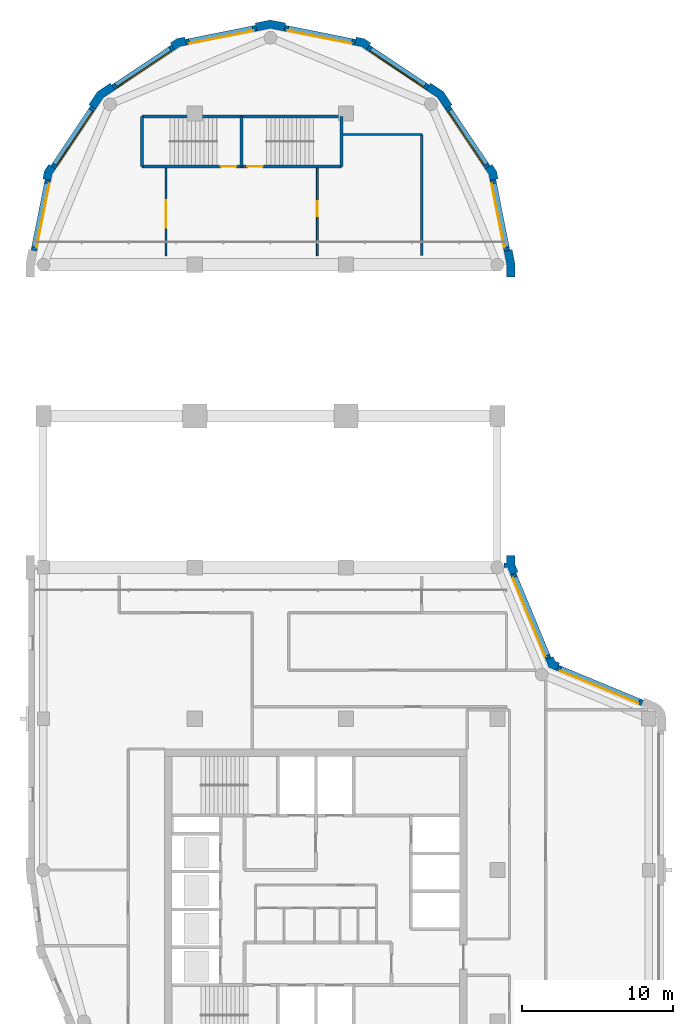
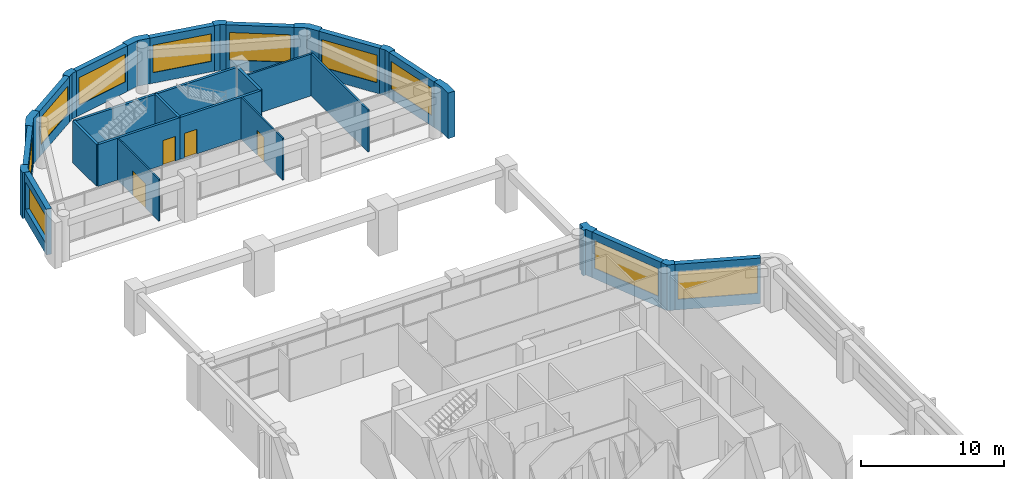
# One storey, part 8 of 11: 31 walls, 10 windows, 4 doors, 14 openings.
"""IFC4 building model written with IfcOpenShell, lengths in metres."""

from ifc_helpers import new_model, si_unit, direction, frame, frame_2d, origin, place, context, subcontext, project, spatial, polyline, rectangle, outline, extrude, material, layer, layer_set, type_object, element, fill, save


model = new_model("IFC4")

# Units and contexts
model_context = context("Model", 3, precision=1e-05, world=origin(), true_north=direction((0.0, 1.0)))
body_context = subcontext(model_context, "Body", "Model", "MODEL_VIEW")
ifc_project = project(units=[si_unit("LENGTHUNIT", "METRE"), si_unit("AREAUNIT", "SQUARE_METRE"), si_unit("VOLUMEUNIT", "CUBIC_METRE"), si_unit("PLANEANGLEUNIT", "RADIAN"), si_unit("MASSUNIT", "GRAM", prefix="KILO")], contexts=[model_context])

# Site, building, storey
site_placement = place(None, origin())
site = spatial("IfcSite", under=ifc_project, at=site_placement, CompositionType="ELEMENT")
building_placement = place(site_placement, origin())
building = spatial("IfcBuilding", under=site, at=building_placement, Name="Qaws Garden Tower", CompositionType="ELEMENT")
storey_placement = place(building_placement, frame((0.0, 0.0, 317.699951171875)))
storey = spatial("IfcBuildingStorey", under=building, at=storey_placement, Name="L77", CompositionType="ELEMENT", Elevation=317.699951171875)

# Wall, opening, window
ifc_material_1 = material(Name="Clay facing brick masonry", Category="masonry")
ifc_layer_1 = layer(ifc_material_1, 0.39990234375)
ifc_layer_set_1 = layer_set([ifc_layer_1], Name="Clay facing brick masonry")
wall_type_1 = type_object("IfcWallType", Name="Brick infill wall 400", PredefinedType="SOLIDWALL", material=ifc_layer_set_1)
wall_1_placement = place(storey_placement, frame((39.56689453125, 31.04541015625, 0.0), z_axis=(0.0, 0.0, 1.0), x_axis=(-0.923891000409, 0.382655745237, 0.0)))
wall_1 = element("IfcWall", 1, at=wall_1_placement, inside=storey, type_object=wall_type_1, Name="E-L77-infill-05", PredefinedType="SOLIDWALL", context=body_context, shape_type="SweptSolid", body=[
    extrude(rectangle(XDim=6.053466796875, YDim=0.39990234375, at=frame_2d((3.02685546875, 0.0))), origin(), (0.0, 0.0, 1.0), 3.900146484375),
])
opening_1_placement = place(wall_1_placement, frame((0.226806640625, 0.0, 0.89990234375)))
opening_1 = element("IfcOpeningElement", 2, at=opening_1_placement, cuts=wall_1, Name="Opening W04", PredefinedType="OPENING", context=body_context, shape_type="SweptSolid", body=[
    extrude(rectangle(XDim=5.60009765625, YDim=2.35009765625, at=frame_2d((2.800048828125, 1.175048828125))), frame((0.0, 0.2099609375, 0.0), z_axis=(0.0, -1.0, 0.0), x_axis=(1.0, 0.0, 0.0)), (0.0, 0.0, 1.0), 0.419921875),
])
ifc_material_2 = material(Name="Aluminium framed window, clear glazing", Category="aluminium")
window_type_1 = type_object("IfcWindowType", Name="Ribbon window 5600 x 2350", PartitioningType="DOUBLE_PANEL_VERTICAL", PredefinedType="WINDOW", material=ifc_material_2)
window_1_placement = place(opening_1_placement, origin())
window_1 = element("IfcWindow", 3, at=window_1_placement, inside=storey, type_object=window_type_1, Name="E-L77-window-05-0", OverallHeight=2.35009765625, OverallWidth=5.60009765625, PartitioningType="SINGLE_PANEL", PredefinedType="WINDOW", context=body_context, shape_type="SweptSolid", body=[
    extrude(rectangle(XDim=5.60009765625, YDim=2.35009765625, at=frame_2d((2.800048828125, 1.175048828125))), frame((0.0, 0.159912109375, 0.0), z_axis=(0.0, -1.0, 0.0), x_axis=(1.0, 0.0, 0.0)), (0.0, 0.0, 1.0), 0.06005859375),
])
fill(opening_1, window_1)

wall_2_placement = place(storey_placement, frame((33.36181640625, 33.97412109375, 0.0), z_axis=(0.0, 0.0, 1.0), x_axis=(-0.382655745237, 0.923891000409, 0.0)))
wall_2 = element("IfcWall", 4, at=wall_2_placement, inside=storey, type_object=wall_type_1, Name="E-L77-infill-06", PredefinedType="SOLIDWALL", context=body_context, shape_type="SweptSolid", body=[
    extrude(rectangle(XDim=6.053466796875, YDim=0.39990234375, at=frame_2d((3.02685546875, 0.0))), origin(), (0.0, 0.0, 1.0), 3.900146484375),
])
opening_2_placement = place(wall_2_placement, frame((0.226806640625, 0.0, 0.89990234375)))
opening_2 = element("IfcOpeningElement", 5, at=opening_2_placement, cuts=wall_2, Name="Opening W04", PredefinedType="OPENING", context=body_context, shape_type="SweptSolid", body=[
    extrude(rectangle(XDim=5.60009765625, YDim=2.35009765625, at=frame_2d((2.800048828125, 1.175048828125))), frame((0.0, 0.2099609375, 0.0), z_axis=(0.0, -1.0, 0.0), x_axis=(1.0, 0.0, 0.0)), (0.0, 0.0, 1.0), 0.419921875),
])
window_2_placement = place(opening_2_placement, origin())
window_2 = element("IfcWindow", 6, at=window_2_placement, inside=storey, type_object=window_type_1, Name="E-L77-window-06-0", OverallHeight=2.35009765625, OverallWidth=5.60009765625, PartitioningType="SINGLE_PANEL", PredefinedType="WINDOW", context=body_context, shape_type="SweptSolid", body=[
    extrude(rectangle(XDim=5.60009765625, YDim=2.35009765625, at=frame_2d((2.800048828125, 1.175048828125))), frame((0.0, 0.159912109375, 0.0), z_axis=(0.0, -1.0, 0.0), x_axis=(1.0, 0.0, 0.0)), (0.0, 0.0, 1.0), 0.06005859375),
])
fill(opening_2, window_2)

wall_3_placement = place(storey_placement, frame((30.628662109375, 60.940673828125, 0.0), z_axis=(0.0, 0.0, 1.0), x_axis=(-0.195098533057, 0.98078364709, 0.0)))
wall_3 = element("IfcWall", 7, at=wall_3_placement, inside=storey, type_object=wall_type_1, Name="E-L77-infill-09", PredefinedType="SOLIDWALL", context=body_context, shape_type="SweptSolid", body=[
    extrude(rectangle(XDim=4.752685546875, YDim=0.39990234375, at=frame_2d((2.37646484375, 0.0))), origin(), (0.0, 0.0, 1.0), 3.900146484375),
])
opening_3_placement = place(wall_3_placement, frame((0.226318359375, 0.0, 0.89990234375)))
opening_3 = element("IfcOpeningElement", 8, at=opening_3_placement, cuts=wall_3, Name="Opening W06", PredefinedType="OPENING", context=body_context, shape_type="SweptSolid", body=[
    extrude(rectangle(XDim=4.300048828125, YDim=2.35009765625, at=frame_2d((2.14990234375, 1.175048828125))), frame((0.0, 0.2099609375, 0.0), z_axis=(0.0, -1.0, 0.0), x_axis=(1.0, 0.0, 0.0)), (0.0, 0.0, 1.0), 0.419921875),
])
ifc_material_3 = material(Name="Aluminium framed window, clear glazing", Category="aluminium")
window_type_2 = type_object("IfcWindowType", Name="Ribbon window 4300 x 2350", PartitioningType="DOUBLE_PANEL_VERTICAL", PredefinedType="WINDOW", material=ifc_material_3)
window_3_placement = place(opening_3_placement, origin())
window_3 = element("IfcWindow", 9, at=window_3_placement, inside=storey, type_object=window_type_2, Name="E-L77-window-09-0", OverallHeight=2.35009765625, OverallWidth=4.300048828125, PartitioningType="SINGLE_PANEL", PredefinedType="WINDOW", context=body_context, shape_type="SweptSolid", body=[
    extrude(rectangle(XDim=4.300048828125, YDim=2.35009765625, at=frame_2d((2.14990234375, 1.175048828125))), frame((0.0, 0.159912109375, 0.0), z_axis=(0.0, -1.0, 0.0), x_axis=(1.0, 0.0, 0.0)), (0.0, 0.0, 1.0), 0.06005859375),
])
fill(opening_3, window_3)

wall_4_placement = place(storey_placement, frame((29.356689453125, 66.43408203125, 0.0), z_axis=(0.0, 0.0, 1.0), x_axis=(-0.555541552266, 0.831488775454, 0.0)))
wall_4 = element("IfcWall", 10, at=wall_4_placement, inside=storey, type_object=wall_type_1, Name="E-L77-infill-10", PredefinedType="SOLIDWALL", context=body_context, shape_type="SweptSolid", body=[
    extrude(rectangle(XDim=4.752685546875, YDim=0.39990234375, at=frame_2d((2.37646484375, 0.0))), origin(), (0.0, 0.0, 1.0), 3.900146484375),
])
opening_4_placement = place(wall_4_placement, frame((0.226318359375, 0.0, 0.89990234375)))
opening_4 = element("IfcOpeningElement", 11, at=opening_4_placement, cuts=wall_4, Name="Opening W06", PredefinedType="OPENING", context=body_context, shape_type="SweptSolid", body=[
    extrude(rectangle(XDim=4.300048828125, YDim=2.35009765625, at=frame_2d((2.14990234375, 1.175048828125))), frame((0.0, 0.2099609375, 0.0), z_axis=(0.0, -1.0, 0.0), x_axis=(1.0, 0.0, 0.0)), (0.0, 0.0, 1.0), 0.419921875),
])
window_4_placement = place(opening_4_placement, origin())
window_4 = element("IfcWindow", 12, at=window_4_placement, inside=storey, type_object=window_type_2, Name="E-L77-window-10-0", OverallHeight=2.35009765625, OverallWidth=4.300048828125, PartitioningType="SINGLE_PANEL", PredefinedType="WINDOW", context=body_context, shape_type="SweptSolid", body=[
    extrude(rectangle(XDim=4.300048828125, YDim=2.35009765625, at=frame_2d((2.14990234375, 1.175048828125))), frame((0.0, 0.159912109375, 0.0), z_axis=(0.0, -1.0, 0.0), x_axis=(1.0, 0.0, 0.0)), (0.0, 0.0, 1.0), 0.06005859375),
])
fill(opening_4, window_4)

wall_5_placement = place(storey_placement, frame((25.385986328125, 71.71630859375, 0.0), z_axis=(0.0, 0.0, 1.0), x_axis=(-0.831488775454, 0.555541552266, 0.0)))
wall_5 = element("IfcWall", 13, at=wall_5_placement, inside=storey, type_object=wall_type_1, Name="E-L77-infill-11", PredefinedType="SOLIDWALL", context=body_context, shape_type="SweptSolid", body=[
    extrude(rectangle(XDim=4.752685546875, YDim=0.39990234375, at=frame_2d((2.37646484375, 0.0))), origin(), (0.0, 0.0, 1.0), 3.900146484375),
])
opening_5_placement = place(wall_5_placement, frame((0.226318359375, 0.0, 0.89990234375)))
opening_5 = element("IfcOpeningElement", 14, at=opening_5_placement, cuts=wall_5, Name="Opening W06", PredefinedType="OPENING", context=body_context, shape_type="SweptSolid", body=[
    extrude(rectangle(XDim=4.300048828125, YDim=2.35009765625, at=frame_2d((2.14990234375, 1.175048828125))), frame((0.0, 0.2099609375, 0.0), z_axis=(0.0, -1.0, 0.0), x_axis=(1.0, 0.0, 0.0)), (0.0, 0.0, 1.0), 0.419921875),
])
window_5_placement = place(opening_5_placement, origin())
window_5 = element("IfcWindow", 15, at=window_5_placement, inside=storey, type_object=window_type_2, Name="E-L77-window-11-0", OverallHeight=2.35009765625, OverallWidth=4.300048828125, PartitioningType="SINGLE_PANEL", PredefinedType="WINDOW", context=body_context, shape_type="SweptSolid", body=[
    extrude(rectangle(XDim=4.300048828125, YDim=2.35009765625, at=frame_2d((2.14990234375, 1.175048828125))), frame((0.0, 0.159912109375, 0.0), z_axis=(0.0, -1.0, 0.0), x_axis=(1.0, 0.0, 0.0)), (0.0, 0.0, 1.0), 0.06005859375),
])
fill(opening_5, window_5)

wall_6_placement = place(storey_placement, frame((20.60205078125, 74.701416015625, 0.0), z_axis=(0.0, 0.0, 1.0), x_axis=(-0.98078364709, 0.195098533057, 0.0)))
wall_6 = element("IfcWall", 16, at=wall_6_placement, inside=storey, type_object=wall_type_1, Name="E-L77-infill-12", PredefinedType="SOLIDWALL", context=body_context, shape_type="SweptSolid", body=[
    extrude(rectangle(XDim=4.752685546875, YDim=0.39990234375, at=frame_2d((2.37646484375, 0.0))), origin(), (0.0, 0.0, 1.0), 3.900146484375),
])
opening_6_placement = place(wall_6_placement, frame((0.226318359375, 0.0, 0.89990234375)))
opening_6 = element("IfcOpeningElement", 17, at=opening_6_placement, cuts=wall_6, Name="Opening W06", PredefinedType="OPENING", context=body_context, shape_type="SweptSolid", body=[
    extrude(rectangle(XDim=4.300048828125, YDim=2.35009765625, at=frame_2d((2.14990234375, 1.175048828125))), frame((0.0, 0.2099609375, 0.0), z_axis=(0.0, -1.0, 0.0), x_axis=(1.0, 0.0, 0.0)), (0.0, 0.0, 1.0), 0.419921875),
])
window_6_placement = place(opening_6_placement, origin())
window_6 = element("IfcWindow", 18, at=window_6_placement, inside=storey, type_object=window_type_2, Name="E-L77-window-12-0", OverallHeight=2.35009765625, OverallWidth=4.300048828125, PartitioningType="SINGLE_PANEL", PredefinedType="WINDOW", context=body_context, shape_type="SweptSolid", body=[
    extrude(rectangle(XDim=4.300048828125, YDim=2.35009765625, at=frame_2d((2.14990234375, 1.175048828125))), frame((0.0, 0.159912109375, 0.0), z_axis=(0.0, -1.0, 0.0), x_axis=(1.0, 0.0, 0.0)), (0.0, 0.0, 1.0), 0.06005859375),
])
fill(opening_6, window_6)

wall_7_placement = place(storey_placement, frame((14.059326171875, 75.628662109375, 0.0), z_axis=(0.0, 0.0, 1.0), x_axis=(-0.98078364709, -0.195098533057, 0.0)))
wall_7 = element("IfcWall", 19, at=wall_7_placement, inside=storey, type_object=wall_type_1, Name="E-L77-infill-13", PredefinedType="SOLIDWALL", context=body_context, shape_type="SweptSolid", body=[
    extrude(rectangle(XDim=4.752685546875, YDim=0.39990234375, at=frame_2d((2.37646484375, 0.0))), origin(), (0.0, 0.0, 1.0), 3.900146484375),
])
opening_7_placement = place(wall_7_placement, frame((0.226318359375, 0.0, 0.89990234375)))
opening_7 = element("IfcOpeningElement", 20, at=opening_7_placement, cuts=wall_7, Name="Opening W06", PredefinedType="OPENING", context=body_context, shape_type="SweptSolid", body=[
    extrude(rectangle(XDim=4.300048828125, YDim=2.35009765625, at=frame_2d((2.14990234375, 1.175048828125))), frame((0.0, 0.2099609375, 0.0), z_axis=(0.0, -1.0, 0.0), x_axis=(1.0, 0.0, 0.0)), (0.0, 0.0, 1.0), 0.419921875),
])
window_7_placement = place(opening_7_placement, origin())
window_7 = element("IfcWindow", 21, at=window_7_placement, inside=storey, type_object=window_type_2, Name="E-L77-window-13-0", OverallHeight=2.35009765625, OverallWidth=4.300048828125, PartitioningType="SINGLE_PANEL", PredefinedType="WINDOW", context=body_context, shape_type="SweptSolid", body=[
    extrude(rectangle(XDim=4.300048828125, YDim=2.35009765625, at=frame_2d((2.14990234375, 1.175048828125))), frame((0.0, 0.159912109375, 0.0), z_axis=(0.0, -1.0, 0.0), x_axis=(1.0, 0.0, 0.0)), (0.0, 0.0, 1.0), 0.06005859375),
])
fill(opening_7, window_7)

wall_8_placement = place(storey_placement, frame((8.56591796875, 74.356689453125, 0.0), z_axis=(0.0, 0.0, 1.0), x_axis=(-0.831488775454, -0.555541552266, 0.0)))
wall_8 = element("IfcWall", 22, at=wall_8_placement, inside=storey, type_object=wall_type_1, Name="E-L77-infill-14", PredefinedType="SOLIDWALL", context=body_context, shape_type="SweptSolid", body=[
    extrude(rectangle(XDim=4.752685546875, YDim=0.39990234375, at=frame_2d((2.37646484375, 0.0))), origin(), (0.0, 0.0, 1.0), 3.900146484375),
])
opening_8_placement = place(wall_8_placement, frame((0.226318359375, 0.0, 0.89990234375)))
opening_8 = element("IfcOpeningElement", 23, at=opening_8_placement, cuts=wall_8, Name="Opening W06", PredefinedType="OPENING", context=body_context, shape_type="SweptSolid", body=[
    extrude(rectangle(XDim=4.300048828125, YDim=2.35009765625, at=frame_2d((2.14990234375, 1.175048828125))), frame((0.0, 0.2099609375, 0.0), z_axis=(0.0, -1.0, 0.0), x_axis=(1.0, 0.0, 0.0)), (0.0, 0.0, 1.0), 0.419921875),
])
window_8_placement = place(opening_8_placement, origin())
window_8 = element("IfcWindow", 24, at=window_8_placement, inside=storey, type_object=window_type_2, Name="E-L77-window-14-0", OverallHeight=2.35009765625, OverallWidth=4.300048828125, PartitioningType="SINGLE_PANEL", PredefinedType="WINDOW", context=body_context, shape_type="SweptSolid", body=[
    extrude(rectangle(XDim=4.300048828125, YDim=2.35009765625, at=frame_2d((2.14990234375, 1.175048828125))), frame((0.0, 0.159912109375, 0.0), z_axis=(0.0, -1.0, 0.0), x_axis=(1.0, 0.0, 0.0)), (0.0, 0.0, 1.0), 0.06005859375),
])
fill(opening_8, window_8)

wall_9_placement = place(storey_placement, frame((3.28369140625, 70.385986328125, 0.0), z_axis=(0.0, 0.0, 1.0), x_axis=(-0.555541552266, -0.831488775454, 0.0)))
wall_9 = element("IfcWall", 25, at=wall_9_placement, inside=storey, type_object=wall_type_1, Name="E-L77-infill-15", PredefinedType="SOLIDWALL", context=body_context, shape_type="SweptSolid", body=[
    extrude(rectangle(XDim=4.752685546875, YDim=0.39990234375, at=frame_2d((2.37646484375, 0.0))), origin(), (0.0, 0.0, 1.0), 3.900146484375),
])
opening_9_placement = place(wall_9_placement, frame((0.226318359375, 0.0, 0.89990234375)))
opening_9 = element("IfcOpeningElement", 26, at=opening_9_placement, cuts=wall_9, Name="Opening W06", PredefinedType="OPENING", context=body_context, shape_type="SweptSolid", body=[
    extrude(rectangle(XDim=4.300048828125, YDim=2.35009765625, at=frame_2d((2.14990234375, 1.175048828125))), frame((0.0, 0.2099609375, 0.0), z_axis=(0.0, -1.0, 0.0), x_axis=(1.0, 0.0, 0.0)), (0.0, 0.0, 1.0), 0.419921875),
])
window_9_placement = place(opening_9_placement, origin())
window_9 = element("IfcWindow", 27, at=window_9_placement, inside=storey, type_object=window_type_2, Name="E-L77-window-15-0", OverallHeight=2.35009765625, OverallWidth=4.300048828125, PartitioningType="SINGLE_PANEL", PredefinedType="WINDOW", context=body_context, shape_type="SweptSolid", body=[
    extrude(rectangle(XDim=4.300048828125, YDim=2.35009765625, at=frame_2d((2.14990234375, 1.175048828125))), frame((0.0, 0.159912109375, 0.0), z_axis=(0.0, -1.0, 0.0), x_axis=(1.0, 0.0, 0.0)), (0.0, 0.0, 1.0), 0.06005859375),
])
fill(opening_9, window_9)

wall_10_placement = place(storey_placement, frame((0.298583984375, 65.60205078125, 0.0), z_axis=(0.0, 0.0, 1.0), x_axis=(-0.195098533057, -0.98078364709, 0.0)))
wall_10 = element("IfcWall", 28, at=wall_10_placement, inside=storey, type_object=wall_type_1, Name="E-L77-infill-16", PredefinedType="SOLIDWALL", context=body_context, shape_type="SweptSolid", body=[
    extrude(rectangle(XDim=4.752685546875, YDim=0.39990234375, at=frame_2d((2.37646484375, 0.0))), origin(), (0.0, 0.0, 1.0), 3.900146484375),
])
opening_10_placement = place(wall_10_placement, frame((0.226318359375, 0.0, 0.89990234375)))
opening_10 = element("IfcOpeningElement", 29, at=opening_10_placement, cuts=wall_10, Name="Opening W06", PredefinedType="OPENING", context=body_context, shape_type="SweptSolid", body=[
    extrude(rectangle(XDim=4.300048828125, YDim=2.35009765625, at=frame_2d((2.14990234375, 1.175048828125))), frame((0.0, 0.2099609375, 0.0), z_axis=(0.0, -1.0, 0.0), x_axis=(1.0, 0.0, 0.0)), (0.0, 0.0, 1.0), 0.419921875),
])
window_10_placement = place(opening_10_placement, origin())
window_10 = element("IfcWindow", 30, at=window_10_placement, inside=storey, type_object=window_type_2, Name="E-L77-window-16-0", OverallHeight=2.35009765625, OverallWidth=4.300048828125, PartitioningType="SINGLE_PANEL", PredefinedType="WINDOW", context=body_context, shape_type="SweptSolid", body=[
    extrude(rectangle(XDim=4.300048828125, YDim=2.35009765625, at=frame_2d((2.14990234375, 1.175048828125))), frame((0.0, 0.159912109375, 0.0), z_axis=(0.0, -1.0, 0.0), x_axis=(1.0, 0.0, 0.0)), (0.0, 0.0, 1.0), 0.06005859375),
])
fill(opening_10, window_10)

# Walls
ifc_material_4 = material(Name="Clay facing brick masonry", Category="masonry")
ifc_layer_2 = layer(ifc_material_4, 0.550048828125)
ifc_layer_set_2 = layer_set([ifc_layer_2], Name="Clay facing brick masonry")
wall_type_2 = type_object("IfcWallType", Name="Brick kink pier 550 x 600", PredefinedType="SOLIDWALL", material=ifc_layer_set_2)
placement = place(storey_placement, origin())
element("IfcWall", 31, at=placement, inside=storey, type_object=wall_type_2, Name="E-L77-pier-10", PredefinedType="SOLIDWALL", context=body_context, shape_type="SweptSolid", body=[
    extrude(outline(polyline([(29.8974609375, 65.64111328125), (30.044677734375, 65.67041015625), (29.94140625, 66.18896484375), (29.647705078125, 66.628662109375), (29.52294921875, 66.545166015625), (29.1904296875, 66.322998046875), (29.42333984375, 65.974365234375), (29.505126953125, 65.56298828125), (29.8974609375, 65.64111328125)])), origin(), (0.0, 0.0, 1.0), 3.900146484375),
])
element("IfcWall", 32, at=placement, inside=storey, type_object=wall_type_2, Name="E-L77-pier-12", PredefinedType="SOLIDWALL", context=body_context, shape_type="SweptSolid", body=[
    extrude(outline(polyline([(21.545166015625, 74.52294921875), (21.628662109375, 74.647705078125), (21.18896484375, 74.94140625), (20.67041015625, 75.044677734375), (20.64111328125, 74.8974609375), (20.56298828125, 74.505126953125), (20.974365234375, 74.42333984375), (21.322998046875, 74.1904296875), (21.545166015625, 74.52294921875)])), origin(), (0.0, 0.0, 1.0), 3.900146484375),
])
element("IfcWall", 33, at=placement, inside=storey, type_object=wall_type_2, Name="E-L77-pier-14", PredefinedType="SOLIDWALL", context=body_context, shape_type="SweptSolid", body=[
    extrude(outline(polyline([(9.35888671875, 74.8974609375), (9.32958984375, 75.044677734375), (8.81103515625, 74.94140625), (8.371337890625, 74.647705078125), (8.454833984375, 74.52294921875), (8.677001953125, 74.1904296875), (9.025634765625, 74.42333984375), (9.43701171875, 74.505126953125), (9.35888671875, 74.8974609375)])), origin(), (0.0, 0.0, 1.0), 3.900146484375),
])
element("IfcWall", 34, at=placement, inside=storey, type_object=wall_type_2, Name="E-L77-pier-16", PredefinedType="SOLIDWALL", context=body_context, shape_type="SweptSolid", body=[
    extrude(outline(polyline([(0.47705078125, 66.545166015625), (0.352294921875, 66.628662109375), (0.05859375, 66.18896484375), (-0.044677734375, 65.67041015625), (0.1025390625, 65.64111328125), (0.494873046875, 65.56298828125), (0.57666015625, 65.974365234375), (0.8095703125, 66.322998046875), (0.47705078125, 66.545166015625)])), origin(), (0.0, 0.0, 1.0), 3.900146484375),
])
ifc_material_5 = material(Name="Clay facing brick masonry", Category="masonry")
ifc_layer_3 = layer(ifc_material_5, 0.550048828125)
ifc_layer_set_3 = layer_set([ifc_layer_3], Name="Clay facing brick masonry")
wall_type_3 = type_object("IfcWallType", Name="Brick pier 550 x 1600", PredefinedType="SOLIDWALL", material=ifc_layer_set_3)
element("IfcWall", 35, at=placement, inside=storey, type_object=wall_type_3, Name="E-L77-pier-06", PredefinedType="SOLIDWALL", context=body_context, shape_type="SweptSolid", body=[
    extrude(outline(polyline([(34.05078125, 33.546630859375), (34.108154296875, 33.685302734375), (33.80908203125, 33.80908203125), (33.685302734375, 34.108154296875), (33.546630859375, 34.05078125), (33.177001953125, 33.897705078125), (33.38818359375, 33.38818359375), (33.897705078125, 33.177001953125), (34.05078125, 33.546630859375)])), origin(), (0.0, 0.0, 1.0), 3.900146484375),
])
element("IfcWall", 36, at=placement, inside=storey, type_object=wall_type_3, Name="E-L77-pier-07", PredefinedType="SOLIDWALL", context=body_context, shape_type="SweptSolid", body=[
    extrude(outline(polyline([(30.6201171875, 39.995361328125), (30.6201171875, 40.071044921875), (30.860595703125, 39.490478515625), (31.22998046875, 39.6435546875), (31.36865234375, 39.700927734375), (31.14990234375, 40.228759765625), (31.14990234375, 40.800048828125), (31.0, 40.800048828125), (30.60009765625, 40.800048828125), (30.60009765625, 40.29541015625), (30.425048828125, 40.29541015625), (30.425048828125, 39.995361328125), (30.6201171875, 39.995361328125)])), origin(), (0.0, 0.0, 1.0), 3.900146484375),
])
element("IfcWall", 37, at=placement, inside=storey, type_object=wall_type_3, Name="E-L77-pier-09", PredefinedType="SOLIDWALL", context=body_context, shape_type="SweptSolid", body=[
    extrude(outline(polyline([(31.0, 59.199951171875), (31.14990234375, 59.199951171875), (31.14990234375, 60.11328125), (30.971923828125, 61.009033203125), (30.82470703125, 60.979736328125), (30.432373046875, 60.901611328125), (30.60009765625, 60.05908203125), (30.60009765625, 59.199951171875), (31.0, 59.199951171875)])), origin(), (0.0, 0.0, 1.0), 3.900146484375),
])
element("IfcWall", 38, at=placement, inside=storey, type_object=wall_type_3, Name="E-L77-pier-11", PredefinedType="SOLIDWALL", context=body_context, shape_type="SweptSolid", body=[
    extrude(outline(polyline([(26.882568359375, 70.4970703125), (27.00732421875, 70.580322265625), (26.435791015625, 71.435791015625), (25.580322265625, 72.00732421875), (25.4970703125, 71.882568359375), (25.274658203125, 71.550048828125), (26.0390625, 71.0390625), (26.550048828125, 70.274658203125), (26.882568359375, 70.4970703125)])), origin(), (0.0, 0.0, 1.0), 3.900146484375),
])
element("IfcWall", 39, at=placement, inside=storey, type_object=wall_type_3, Name="E-L77-pier-13", PredefinedType="SOLIDWALL", context=body_context, shape_type="SweptSolid", body=[
    extrude(outline(polyline([(15.979736328125, 75.82470703125), (16.009033203125, 75.971923828125), (15.0, 76.172607421875), (13.990966796875, 75.971923828125), (14.020263671875, 75.82470703125), (14.098388671875, 75.432373046875), (15.0, 75.61181640625), (15.901611328125, 75.432373046875), (15.979736328125, 75.82470703125)])), origin(), (0.0, 0.0, 1.0), 3.900146484375),
])
element("IfcWall", 40, at=placement, inside=storey, type_object=wall_type_3, Name="E-L77-pier-15", PredefinedType="SOLIDWALL", context=body_context, shape_type="SweptSolid", body=[
    extrude(outline(polyline([(4.5029296875, 71.882568359375), (4.419677734375, 72.00732421875), (3.564208984375, 71.435791015625), (2.99267578125, 70.580322265625), (3.117431640625, 70.4970703125), (3.449951171875, 70.274658203125), (3.9609375, 71.0390625), (4.725341796875, 71.550048828125), (4.5029296875, 71.882568359375)])), origin(), (0.0, 0.0, 1.0), 3.900146484375),
])

# Wall, opening, door
ifc_material_6 = material(Name="Concrete C60", Category="concrete")
ifc_layer_4 = layer(ifc_material_6, 0.199951171875)
ifc_layer_set_4 = layer_set([ifc_layer_4], Name="Concrete C60")
wall_type_4 = type_object("IfcWallType", Name="Core shaft wall 200 C60", PredefinedType="SHEAR", material=ifc_layer_set_4)
wall_21_placement = place(storey_placement, frame((6.5, 66.5, 0.0), z_axis=(0.0, 0.0, 1.0), x_axis=(1.0, 0.0, 0.0)))
wall_21 = element("IfcWall", 41, at=wall_21_placement, inside=storey, type_object=wall_type_4, Name="Shaft wall", PredefinedType="SHEAR", context=body_context, shape_type="SweptSolid", body=[
    extrude(rectangle(XDim=6.60009765625, YDim=0.199951171875, at=frame_2d((3.300048828125, 0.0))), origin(), (0.0, 0.0, 1.0), 3.580078125),
])
opening_11_placement = place(wall_21_placement, frame((5.22509765625, 0.0, 0.0)))
opening_11 = element("IfcOpeningElement", 42, at=opening_11_placement, cuts=wall_21, Name="Opening SD13", PredefinedType="OPENING", context=body_context, shape_type="SweptSolid", body=[
    extrude(rectangle(XDim=1.0, YDim=2.10009765625, at=frame_2d((0.5, 1.050048828125))), frame((0.0, 0.10986328125, 0.0), z_axis=(0.0, -1.0, 0.0), x_axis=(1.0, 0.0, 0.0)), (0.0, 0.0, 1.0), 0.219970703125),
])
ifc_material_7 = material(Name="Steel S235", Category="steel")
door_type_1 = type_object("IfcDoorType", Name="Stair door 1000x2100", OperationType="SINGLE_SWING_RIGHT", PredefinedType="DOOR", material=ifc_material_7)
door_1_placement = place(opening_11_placement, origin())
door_1 = element("IfcDoor", 43, at=door_1_placement, inside=storey, type_object=door_type_1, Name="Stair 6 door", OperationType="SINGLE_SWING_RIGHT", OverallHeight=2.10009765625, OverallWidth=1.0, PredefinedType="DOOR", context=body_context, shape_type="SweptSolid", body=[
    extrude(rectangle(XDim=1.0, YDim=2.10009765625, at=frame_2d((0.5, 1.050048828125))), frame((0.0, 0.02490234375, 0.0), z_axis=(0.0, -1.0, 0.0), x_axis=(1.0, 0.0, 0.0)), (0.0, 0.0, 1.0), 0.050048828125),
])
fill(opening_11, door_1)

wall_22_placement = place(storey_placement, frame((13.10009765625, 66.5, 0.0), z_axis=(0.0, 0.0, 1.0), x_axis=(1.0, 0.0, 0.0)))
wall_22 = element("IfcWall", 44, at=wall_22_placement, inside=storey, type_object=wall_type_4, Name="Shaft wall", PredefinedType="SHEAR", context=body_context, shape_type="SweptSolid", body=[
    extrude(rectangle(XDim=6.599853515625, YDim=0.199951171875, at=frame_2d((3.2998046875, 0.0))), origin(), (0.0, 0.0, 1.0), 3.580078125),
])
opening_12_placement = place(wall_22_placement, frame((0.375, 0.0, 0.0)))
opening_12 = element("IfcOpeningElement", 45, at=opening_12_placement, cuts=wall_22, Name="Opening SD14", PredefinedType="OPENING", context=body_context, shape_type="SweptSolid", body=[
    extrude(rectangle(XDim=1.0, YDim=2.10009765625, at=frame_2d((0.5, 1.050048828125))), frame((0.0, 0.10986328125, 0.0), z_axis=(0.0, -1.0, 0.0), x_axis=(1.0, 0.0, 0.0)), (0.0, 0.0, 1.0), 0.219970703125),
])
door_2_placement = place(opening_12_placement, origin())
door_2 = element("IfcDoor", 46, at=door_2_placement, inside=storey, type_object=door_type_1, Name="Stair 7 door", OperationType="SINGLE_SWING_LEFT", OverallHeight=2.10009765625, OverallWidth=1.0, PredefinedType="DOOR", context=body_context, shape_type="SweptSolid", body=[
    extrude(rectangle(XDim=1.0, YDim=2.10009765625, at=frame_2d((0.5, 1.050048828125))), frame((0.0, 0.02490234375, 0.0), z_axis=(0.0, -1.0, 0.0), x_axis=(1.0, 0.0, 0.0)), (0.0, 0.0, 1.0), 0.050048828125),
])
fill(opening_12, door_2)

# Walls
wall_23_placement = place(storey_placement, frame((6.5, 69.800048828125, 0.0), z_axis=(0.0, 0.0, 1.0), x_axis=(1.0, 0.0, 0.0)))
element("IfcWall", 47, at=wall_23_placement, inside=storey, type_object=wall_type_4, Name="Shaft wall", PredefinedType="SHEAR", context=body_context, shape_type="SweptSolid", body=[
    extrude(rectangle(XDim=6.60009765625, YDim=0.199951171875, at=frame_2d((3.300048828125, 0.0))), origin(), (0.0, 0.0, 1.0), 3.580078125),
])
wall_24_placement = place(storey_placement, frame((13.10009765625, 69.800048828125, 0.0), z_axis=(0.0, 0.0, 1.0), x_axis=(1.0, 0.0, 0.0)))
element("IfcWall", 48, at=wall_24_placement, inside=storey, type_object=wall_type_4, Name="Shaft wall", PredefinedType="SHEAR", context=body_context, shape_type="SweptSolid", body=[
    extrude(rectangle(XDim=6.599853515625, YDim=0.199951171875, at=frame_2d((3.2998046875, 0.0))), origin(), (0.0, 0.0, 1.0), 3.580078125),
])
for number, where, z_axis, x_axis, name in (
    (49, (6.5, 66.5, 0.0), (0.0, 0.0, 1.0), (0.0, 1.0, 0.0), "Shaft wall"),
    (50, (13.10009765625, 66.5, 0.0), (0.0, 0.0, 1.0), (0.0, 1.0, 0.0), "Shaft wall"),
    (51, (19.699951171875, 66.5, 0.0), (0.0, 0.0, 1.0), (0.0, 1.0, 0.0), "Shaft wall"),
):
    element("IfcWall", number, at=place(storey_placement, frame(where, z_axis=z_axis, x_axis=x_axis)), inside=storey, type_object=wall_type_4, Name=name, PredefinedType="SHEAR", context=body_context, shape_type="SweptSolid", body=[
        extrude(rectangle(XDim=3.300048828125, YDim=0.199951171875, at=frame_2d((1.64990234375, 0.0))), origin(), (0.0, 0.0, 1.0), 3.580078125),
    ])

# Wall, opening, door
ifc_material_8 = material(Name="Glass and aluminium framing", Category="aluminium")
ifc_layer_5 = layer(ifc_material_8, 0.1201171875)
ifc_layer_set_5 = layer_set([ifc_layer_5], Name="Glass and aluminium framing")
wall_type_5 = type_object("IfcWallType", Name="GLAZED PARTITION 120 EI 30", PredefinedType="PARTITIONING", material=ifc_layer_set_5)
wall_25_placement = place(storey_placement, frame((8.10009765625, 60.60009765625, 0.0), z_axis=(0.0, 0.0, 1.0), x_axis=(0.0, 1.0, 0.0)))
wall_25 = element("IfcWall", 52, at=wall_25_placement, inside=storey, type_object=wall_type_5, Name="O-L77-wall-026", PredefinedType="PARTITIONING", context=body_context, shape_type="SweptSolid", body=[
    extrude(rectangle(XDim=5.7998046875, YDim=0.1201171875, at=frame_2d((2.89990234375, 0.0))), origin(), (0.0, 0.0, 1.0), 3.580078125),
])
opening_13_placement = place(wall_25_placement, frame((1.85009765625, 0.0, 0.0)))
opening_13 = element("IfcOpeningElement", 53, at=opening_13_placement, cuts=wall_25, Name="Opening C813", PredefinedType="OPENING", context=body_context, shape_type="SweptSolid", body=[
    extrude(rectangle(XDim=1.800048828125, YDim=2.10009765625, at=frame_2d((0.89990234375, 1.050048828125))), frame((0.0, 0.070068359375, 0.0), z_axis=(0.0, -1.0, 0.0), x_axis=(1.0, 0.0, 0.0)), (0.0, 0.0, 1.0), 0.14013671875),
])
ifc_material_9 = material(Name="Timber door leaf", Category="wood")
door_type_2 = type_object("IfcDoorType", Name="DOUBLE DOOR 1800 X 2100", OperationType="DOUBLE_DOOR_SINGLE_SWING", PredefinedType="DOOR", material=ifc_material_9)
door_3_placement = place(opening_13_placement, origin())
door_3 = element("IfcDoor", 54, at=door_3_placement, inside=storey, type_object=door_type_2, Name="O-L77-door-013", OperationType="DOUBLE_DOOR_SINGLE_SWING", OverallHeight=2.10009765625, OverallWidth=1.800048828125, PredefinedType="DOOR", context=body_context, shape_type="SweptSolid", body=[
    extrude(rectangle(XDim=1.800048828125, YDim=2.10009765625, at=frame_2d((0.89990234375, 1.050048828125))), frame((0.0, 0.02490234375, 0.0), z_axis=(0.0, -1.0, 0.0), x_axis=(1.0, 0.0, 0.0)), (0.0, 0.0, 1.0), 0.050048828125),
])
fill(opening_13, door_3)

wall_26_placement = place(storey_placement, frame((18.10009765625, 60.60009765625, 0.0), z_axis=(0.0, 0.0, 1.0), x_axis=(0.0, 1.0, 0.0)))
wall_26 = element("IfcWall", 55, at=wall_26_placement, inside=storey, type_object=wall_type_5, Name="O-L77-wall-029", PredefinedType="PARTITIONING", context=body_context, shape_type="SweptSolid", body=[
    extrude(rectangle(XDim=5.7998046875, YDim=0.1201171875, at=frame_2d((2.89990234375, 0.0))), origin(), (0.0, 0.0, 1.0), 3.580078125),
])
opening_14_placement = place(wall_26_placement, frame((2.60009765625, 0.0, 0.0)))
opening_14 = element("IfcOpeningElement", 56, at=opening_14_placement, cuts=wall_26, Name="Opening C803", PredefinedType="OPENING", context=body_context, shape_type="SweptSolid", body=[
    extrude(rectangle(XDim=1.0, YDim=2.10009765625, at=frame_2d((0.5, 1.050048828125))), frame((0.0, 0.070068359375, 0.0), z_axis=(0.0, -1.0, 0.0), x_axis=(1.0, 0.0, 0.0)), (0.0, 0.0, 1.0), 0.14013671875),
])
ifc_material_10 = material(Name="Timber door leaf", Category="wood")
door_type_3 = type_object("IfcDoorType", Name="TENANCY ENTRANCE DOOR 1000 X 2100", OperationType="SINGLE_SWING_LEFT", PredefinedType="DOOR", material=ifc_material_10)
door_4_placement = place(opening_14_placement, frame((1.0, 0.0, 0.0), z_axis=(0.0, 0.0, 1.0), x_axis=(-1.0, 0.0, 0.0)))
door_4 = element("IfcDoor", 57, at=door_4_placement, inside=storey, type_object=door_type_3, Name="O-L77-door-003", OperationType="SINGLE_SWING_RIGHT", OverallHeight=2.10009765625, OverallWidth=1.0, PredefinedType="DOOR", context=body_context, shape_type="SweptSolid", body=[
    extrude(rectangle(XDim=1.0, YDim=2.10009765625, at=frame_2d((0.5, 1.050048828125))), frame((0.0, 0.02490234375, 0.0), z_axis=(0.0, -1.0, 0.0), x_axis=(1.0, 0.0, 0.0)), (0.0, 0.0, 1.0), 0.050048828125),
])
fill(opening_14, door_4)

# Walls
ifc_material_11 = material(Name="Gypsum board partition")
ifc_layer_6 = layer(ifc_material_11, 0.14990234375)
ifc_layer_set_6 = layer_set([ifc_layer_6], Name="Gypsum board partition")
wall_type_6 = type_object("IfcWallType", Name="PARTITION 150 EI 60", PredefinedType="PARTITIONING", material=ifc_layer_set_6)
wall_27_placement = place(storey_placement, frame((25.0, 60.60009765625, 0.0), z_axis=(0.0, 0.0, 1.0), x_axis=(0.0, 1.0, 0.0)))
element("IfcWall", 58, at=wall_27_placement, inside=storey, type_object=wall_type_6, Name="O-L77-wall-006", PredefinedType="PARTITIONING", context=body_context, shape_type="SweptSolid", body=[
    extrude(rectangle(XDim=8.0, YDim=0.14990234375, at=frame_2d((4.0, 0.0))), origin(), (0.0, 0.0, 1.0), 3.580078125),
])
wall_28_placement = place(storey_placement, frame((19.800048828125, 68.60009765625, 0.0), z_axis=(0.0, 0.0, 1.0), x_axis=(1.0, 0.0, 0.0)))
element("IfcWall", 59, at=wall_28_placement, inside=storey, type_object=wall_type_6, Name="O-L77-wall-022", PredefinedType="PARTITIONING", context=body_context, shape_type="SweptSolid", body=[
    extrude(rectangle(XDim=5.199951171875, YDim=0.14990234375, at=frame_2d((2.60009765625, 0.0))), origin(), (0.0, 0.0, 1.0), 3.580078125),
])

save(model, "model.ifc")
